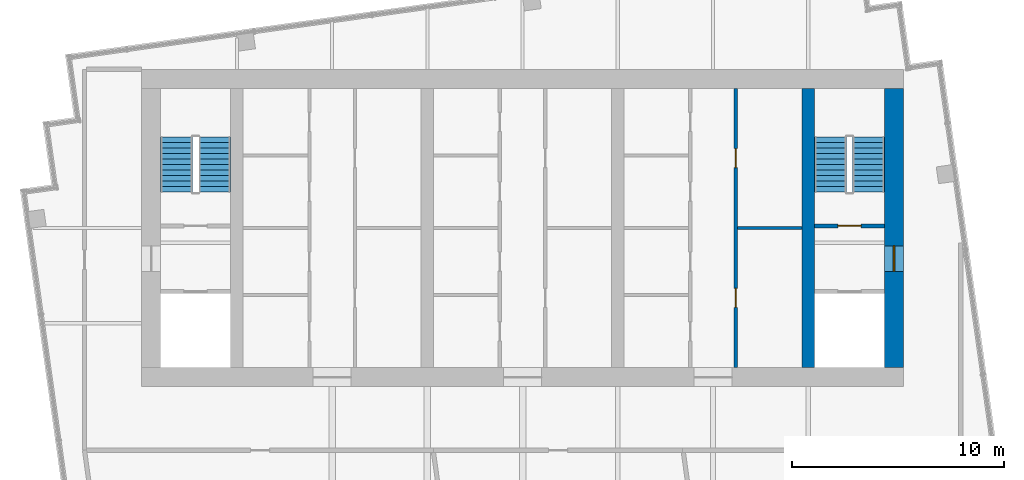
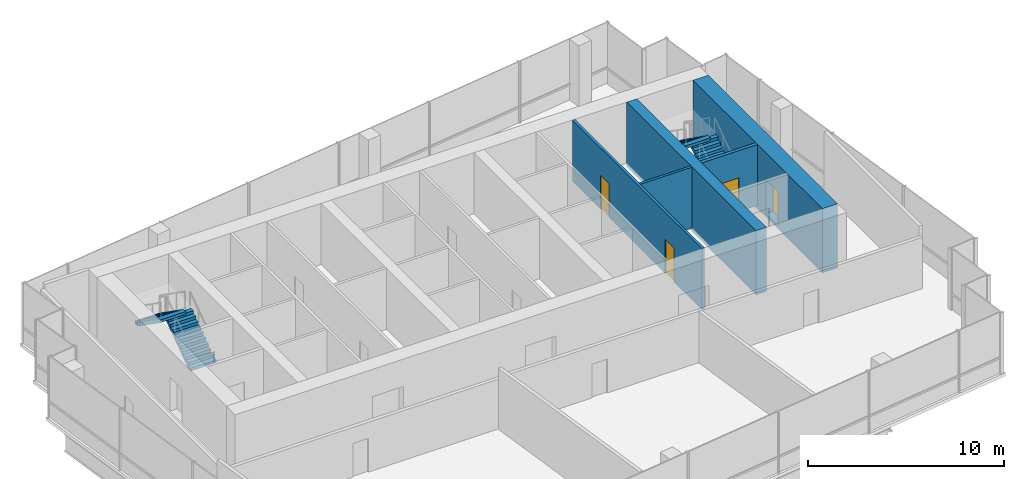
# One storey, part 9 of 10: 5 walls, 4 doors, 4 stair flights, 4 openings, 2 elements without a shape of their own.
"""IFC4 building model written with IfcOpenShell, lengths in metres."""

from ifc_helpers import new_model, si_unit, direction, frame, frame_2d, origin, place, context, subcontext, project, spatial, polyline, rectangle, outline, extrude, material, layer, layer_set, type_object, element, fill, aggregate, save


model = new_model("IFC4")

# Units and contexts
model_context = context("Model", 3, precision=1e-05, world=origin(), true_north=direction((0.0, 1.0)))
body_context = subcontext(model_context, "Body", "Model", "MODEL_VIEW")
ifc_project = project(units=[si_unit("LENGTHUNIT", "METRE"), si_unit("AREAUNIT", "SQUARE_METRE"), si_unit("VOLUMEUNIT", "CUBIC_METRE"), si_unit("PLANEANGLEUNIT", "RADIAN"), si_unit("MASSUNIT", "GRAM", prefix="KILO")], contexts=[model_context])

# Site, building, storey
site_placement = place(None, origin())
site = spatial("IfcSite", under=ifc_project, at=site_placement, CompositionType="ELEMENT")
building_placement = place(site_placement, origin())
building = spatial("IfcBuilding", under=site, at=building_placement, Name="Rattan Terrace Tower", CompositionType="ELEMENT")
storey_placement = place(building_placement, frame((0.0, 0.0, 308.300048828125)))
storey = spatial("IfcBuildingStorey", under=building, at=storey_placement, Name="C05", CompositionType="ELEMENT", Elevation=308.300048828125)

# Wall, openings, doors
ifc_material_1 = material(Name="Gypsum board partition")
ifc_layer_1 = layer(ifc_material_1, 0.14990234375)
ifc_layer_set_1 = layer_set([ifc_layer_1], Name="Core partition 150")
wall_type_1 = type_object("IfcWallType", Name="Core partition 150", PredefinedType="PARTITIONING", material=ifc_layer_set_1)
wall_1_placement = place(storey_placement, frame((10.074951171875, -6.60009765625, 0.0), z_axis=(0.0, 0.0, 1.0), x_axis=(0.0, 1.0, 0.0)))
wall_1 = element("IfcWall", 1, at=wall_1_placement, inside=storey, type_object=wall_type_1, Name="Core room wall", PredefinedType="PARTITIONING", context=body_context, shape_type="SweptSolid", body=[
    extrude(rectangle(XDim=13.2001953125, YDim=0.14990234375, at=frame_2d((6.60009765625, 0.0))), origin(), (0.0, 0.0, 1.0), 3.800048828125),
])
opening_1_placement = place(wall_1_placement, frame((2.85009765625, 0.0, 0.0)))
opening_1 = element("IfcOpeningElement", 2, at=opening_1_placement, cuts=wall_1, Name="Opening C05-D023", PredefinedType="OPENING", context=body_context, shape_type="SweptSolid", body=[
    extrude(rectangle(XDim=0.89990234375, YDim=2.10009765625, at=frame_2d((0.449951171875, 1.050048828125))), frame((0.0, 0.08544921875, 0.0), z_axis=(0.0, -1.0, 0.0), x_axis=(1.0, 0.0, 0.0)), (0.0, 0.0, 1.0), 0.1708984375),
])
opening_2_placement = place(wall_1_placement, frame((9.449951171875, 0.0, 0.0)))
opening_2 = element("IfcOpeningElement", 3, at=opening_2_placement, cuts=wall_1, Name="Opening C05-D024", PredefinedType="OPENING", context=body_context, shape_type="SweptSolid", body=[
    extrude(rectangle(XDim=0.89990234375, YDim=2.10009765625, at=frame_2d((0.449951171875, 1.050048828125))), frame((0.0, 0.08544921875, 0.0), z_axis=(0.0, -1.0, 0.0), x_axis=(1.0, 0.0, 0.0)), (0.0, 0.0, 1.0), 0.1708984375),
])
ifc_material_2 = material(Name="Hollow-metal fire door leaf")
door_type_1 = type_object("IfcDoorType", Name="Core service room door 900", OperationType="NOTDEFINED", PredefinedType="DOOR", material=ifc_material_2)
door_1_placement = place(opening_1_placement, origin())
door_1 = element("IfcDoor", 4, at=door_1_placement, inside=storey, type_object=door_type_1, Name="Door C05-D023", OperationType="SINGLE_SWING_RIGHT", OverallHeight=2.10009765625, OverallWidth=0.89990234375, PredefinedType="DOOR", context=body_context, shape_type="SweptSolid", body=[
    extrude(rectangle(XDim=0.89990234375, YDim=2.10009765625, at=frame_2d((0.449951171875, 1.050048828125))), frame((0.0, 0.02490234375, 0.0), z_axis=(0.0, -1.0, 0.0), x_axis=(1.0, 0.0, 0.0)), (0.0, 0.0, 1.0), 0.050048828125),
])
fill(opening_1, door_1)
door_2_placement = place(opening_2_placement, origin())
door_2 = element("IfcDoor", 5, at=door_2_placement, inside=storey, type_object=door_type_1, Name="Door C05-D024", OperationType="SINGLE_SWING_LEFT", OverallHeight=2.10009765625, OverallWidth=0.89990234375, PredefinedType="DOOR", context=body_context, shape_type="SweptSolid", body=[
    extrude(rectangle(XDim=0.89990234375, YDim=2.10009765625, at=frame_2d((0.449951171875, 1.050048828125))), frame((0.0, 0.02490234375, 0.0), z_axis=(0.0, -1.0, 0.0), x_axis=(1.0, 0.0, 0.0)), (0.0, 0.0, 1.0), 0.050048828125),
])
fill(opening_2, door_2)

# Wall
wall_2_placement = place(storey_placement, frame((10.14990234375, 0.0, 0.0), z_axis=(0.0, 0.0, 1.0), x_axis=(1.0, 0.0, 0.0)))
element("IfcWall", 6, at=wall_2_placement, inside=storey, type_object=wall_type_1, Name="Core room wall", PredefinedType="PARTITIONING", context=body_context, shape_type="SweptSolid", body=[
    extrude(rectangle(XDim=3.050048828125, YDim=0.14990234375, at=frame_2d((1.52490234375, 0.0))), origin(), (0.0, 0.0, 1.0), 3.800048828125),
])

# Wall, opening, door
ifc_material_3 = material(Name="Gypsum board partition")
ifc_layer_2 = layer(ifc_material_3, 0.199951171875)
ifc_layer_set_2 = layer_set([ifc_layer_2], Name="Core partition 200")
wall_type_2 = type_object("IfcWallType", Name="Core partition 200", PredefinedType="PARTITIONING", material=ifc_layer_set_2)
wall_3_placement = place(storey_placement, frame((13.800048828125, 0.10009765625, 0.0), z_axis=(0.0, 0.0, 1.0), x_axis=(1.0, 0.0, 0.0)))
wall_3 = element("IfcWall", 7, at=wall_3_placement, inside=storey, type_object=wall_type_2, Name="Stair enclosure wall", PredefinedType="PARTITIONING", context=body_context, shape_type="SweptSolid", body=[
    extrude(rectangle(XDim=3.300048828125, YDim=0.199951171875, at=frame_2d((1.64990234375, 0.0))), origin(), (0.0, 0.0, 1.0), 3.800048828125),
])
opening_3_placement = place(wall_3_placement, frame((1.10009765625, 0.0, 0.0)))
opening_3 = element("IfcOpeningElement", 8, at=opening_3_placement, cuts=wall_3, Name="Opening C05-D004", PredefinedType="OPENING", context=body_context, shape_type="SweptSolid", body=[
    extrude(rectangle(XDim=1.10009765625, YDim=2.10009765625, at=frame_2d((0.550048828125, 1.050048828125))), frame((0.0, 0.110595703125, 0.0), z_axis=(0.0, -1.0, 0.0), x_axis=(1.0, 0.0, 0.0)), (0.0, 0.0, 1.0), 0.220947265625),
])
ifc_material_4 = material(Name="Hollow-metal fire door leaf")
door_type_2 = type_object("IfcDoorType", Name="Core stair door 1100", OperationType="NOTDEFINED", PredefinedType="DOOR", material=ifc_material_4)
door_3_placement = place(opening_3_placement, origin())
door_3 = element("IfcDoor", 9, at=door_3_placement, inside=storey, type_object=door_type_2, Name="Door C05-D004", OperationType="SINGLE_SWING_LEFT", OverallHeight=2.10009765625, OverallWidth=1.10009765625, PredefinedType="DOOR", context=body_context, shape_type="SweptSolid", body=[
    extrude(rectangle(XDim=1.10009765625, YDim=2.10009765625, at=frame_2d((0.550048828125, 1.050048828125))), frame((0.0, 0.02490234375, 0.0), z_axis=(0.0, -1.0, 0.0), x_axis=(1.0, 0.0, 0.0)), (0.0, 0.0, 1.0), 0.050048828125),
])
fill(opening_3, door_3)

ifc_material_5 = material(Name="Concrete C50/60", Category="concrete")
ifc_layer_3 = layer(ifc_material_5, 0.89990234375)
ifc_layer_set_3 = layer_set([ifc_layer_3], Name="Core ring wall 900 C50/60")
wall_type_3 = type_object("IfcWallType", Name="Core ring wall 900 C50/60", PredefinedType="SHEAR", material=ifc_layer_set_3)
wall_4_placement = place(storey_placement, frame((17.550048828125, -6.60009765625, -0.199951171875), z_axis=(0.0, 0.0, 1.0), x_axis=(0.0, 1.0, 0.0)))
wall_4 = element("IfcWall", 10, at=wall_4_placement, inside=storey, type_object=wall_type_3, Name="Rear core wall east", PredefinedType="SHEAR", context=body_context, shape_type="SweptSolid", body=[
    extrude(rectangle(XDim=13.2001953125, YDim=0.89990234375, at=frame_2d((6.60009765625, 0.0))), origin(), (0.0, 0.0, 1.0), 4.0),
])
opening_4_placement = place(wall_4_placement, frame((4.550048828125, 0.0, 0.199951171875)))
opening_4 = element("IfcOpeningElement", 11, at=opening_4_placement, cuts=wall_4, Name="Opening C05-D003", PredefinedType="OPENING", context=body_context, shape_type="SweptSolid", body=[
    extrude(rectangle(XDim=1.199951171875, YDim=2.10009765625, at=frame_2d((0.60009765625, 1.050048828125))), frame((0.0, 0.46044921875, 0.0), z_axis=(0.0, -1.0, 0.0), x_axis=(1.0, 0.0, 0.0)), (0.0, 0.0, 1.0), 0.9208984375),
])
ifc_material_6 = material(Name="Hollow-metal fire door leaf")
door_type_3 = type_object("IfcDoorType", Name="Core fire-fighting lobby door 1200", OperationType="NOTDEFINED", PredefinedType="DOOR", material=ifc_material_6)
door_4_placement = place(opening_4_placement, origin())
door_4 = element("IfcDoor", 12, at=door_4_placement, inside=storey, type_object=door_type_3, Name="Door C05-D003", OperationType="SINGLE_SWING_RIGHT", OverallHeight=2.10009765625, OverallWidth=1.199951171875, PredefinedType="DOOR", context=body_context, shape_type="SweptSolid", body=[
    extrude(rectangle(XDim=1.199951171875, YDim=2.10009765625, at=frame_2d((0.60009765625, 1.050048828125))), frame((0.0, 0.02490234375, 0.0), z_axis=(0.0, -1.0, 0.0), x_axis=(1.0, 0.0, 0.0)), (0.0, 0.0, 1.0), 0.050048828125),
])
fill(opening_4, door_4)

# Wall
ifc_material_7 = material(Name="Concrete C50/60", Category="concrete")
ifc_layer_4 = layer(ifc_material_7, 0.60009765625)
ifc_layer_set_4 = layer_set([ifc_layer_4], Name="Core spine wall 600 C50/60")
wall_type_4 = type_object("IfcWallType", Name="Core spine wall 600 C50/60", PredefinedType="SHEAR", material=ifc_layer_set_4)
wall_5_placement = place(storey_placement, frame((13.5, -6.60009765625, -0.199951171875), z_axis=(0.0, 0.0, 1.0), x_axis=(0.0, 1.0, 0.0)))
element("IfcWall", 13, at=wall_5_placement, inside=storey, type_object=wall_type_4, Name="Core spine wall 4", PredefinedType="SHEAR", context=body_context, shape_type="SweptSolid", body=[
    extrude(rectangle(XDim=13.2001953125, YDim=0.60009765625, at=frame_2d((6.60009765625, 0.0))), origin(), (0.0, 0.0, 1.0), 4.0),
])

# Stair, stair flights
ifc_material_8 = material(Name="Concrete C40/50", Category="concrete")
stair_type = type_object("IfcStairType", Name="Core exit stair 1500", PredefinedType="HALF_TURN_STAIR", material=ifc_material_8)
stair_1_placement = place(storey_placement, origin())
stair_1 = element("IfcStair", 14, at=stair_1_placement, inside=storey, type_object=stair_type, Name="C05 exit stair 1", PredefinedType="HALF_TURN_STAIR")
ifc_material_9 = material(Name="Concrete C40/50", Category="concrete")
stair_flight_type = type_object("IfcStairFlightType", Name="Core exit stair flight 1500", PredefinedType="STRAIGHT", material=ifc_material_9)
stair_flight_1_placement = place(storey_placement, frame((-14.550048828125, 1.699951171875, 0.0), z_axis=(0.0, 0.0, 1.0), x_axis=(0.0, 1.0, 0.0)))
stair_flight_1 = element("IfcStairFlight", 15, at=stair_flight_1_placement, type_object=stair_flight_type, Name="S1 flight 1", NumberOfRisers=11, NumberOfTreads=10, PredefinedType="STRAIGHT", RiserHeight=0.181818182, TreadLength=0.26, context=body_context, shape_type="SweptSolid", body=[
    extrude(outline(polyline([(0.0, 0.0), (0.0, 0.181884765625), (0.260009765625, 0.181884765625), (0.260009765625, 0.363525390625), (0.52001953125, 0.363525390625), (0.52001953125, 0.54541015625), (0.780029296875, 0.54541015625), (0.780029296875, 0.727294921875), (1.0400390625, 0.727294921875), (1.0400390625, 0.9091796875), (1.300048828125, 0.9091796875), (1.300048828125, 1.0908203125), (1.56005859375, 1.0908203125), (1.56005859375, 1.272705078125), (1.820068359375, 1.272705078125), (1.820068359375, 1.45458984375), (2.080078125, 1.45458984375), (2.080078125, 1.636474609375), (2.340087890625, 1.636474609375), (2.340087890625, 1.818115234375), (2.60009765625, 1.818115234375), (2.60009765625, 2.0), (2.60009765625, 1.63525390625), (0.261474609375, 0.0), (0.0, 0.0)])), frame((0.0, 0.75, 0.0), z_axis=(0.0, -1.0, 0.0), x_axis=(1.0, 0.0, 0.0)), (0.0, 0.0, 1.0), 1.5),
])
stair_flight_2_placement = place(storey_placement, frame((-16.35009765625, 4.300048828125, 2.0), z_axis=(0.0, 0.0, 1.0), x_axis=(0.0, -1.0, 0.0)))
stair_flight_2 = element("IfcStairFlight", 16, at=stair_flight_2_placement, type_object=stair_flight_type, Name="S1 flight 2", NumberOfRisers=11, NumberOfTreads=10, PredefinedType="STRAIGHT", RiserHeight=0.181818182, TreadLength=0.26, context=body_context, shape_type="SweptSolid", body=[
    extrude(outline(polyline([(0.0, 0.0), (0.0, 0.181884765625), (0.260009765625, 0.181884765625), (0.260009765625, 0.363525390625), (0.52001953125, 0.363525390625), (0.52001953125, 0.54541015625), (0.780029296875, 0.54541015625), (0.780029296875, 0.727294921875), (1.0400390625, 0.727294921875), (1.0400390625, 0.9091796875), (1.300048828125, 0.9091796875), (1.300048828125, 1.0908203125), (1.56005859375, 1.0908203125), (1.56005859375, 1.272705078125), (1.820068359375, 1.272705078125), (1.820068359375, 1.45458984375), (2.080078125, 1.45458984375), (2.080078125, 1.636474609375), (2.340087890625, 1.636474609375), (2.340087890625, 1.818115234375), (2.60009765625, 1.818115234375), (2.60009765625, 2.0), (2.60009765625, 1.63525390625), (0.261474609375, 0.0), (0.0, 0.0)])), frame((0.0, 0.75, 0.0), z_axis=(0.0, -1.0, 0.0), x_axis=(1.0, 0.0, 0.0)), (0.0, 0.0, 1.0), 1.5),
])
aggregate(stair_1, [stair_flight_1, stair_flight_2])

stair_2_placement = place(storey_placement, origin())
stair_2 = element("IfcStair", 17, at=stair_2_placement, inside=storey, type_object=stair_type, Name="C05 exit stair 2", PredefinedType="HALF_TURN_STAIR")
stair_flight_3_placement = place(storey_placement, frame((16.35009765625, 1.699951171875, 0.0), z_axis=(0.0, 0.0, 1.0), x_axis=(0.0, 1.0, 0.0)))
stair_flight_3 = element("IfcStairFlight", 18, at=stair_flight_3_placement, type_object=stair_flight_type, Name="S2 flight 1", NumberOfRisers=11, NumberOfTreads=10, PredefinedType="STRAIGHT", RiserHeight=0.181818182, TreadLength=0.26, context=body_context, shape_type="SweptSolid", body=[
    extrude(outline(polyline([(0.0, 0.0), (0.0, 0.181884765625), (0.260009765625, 0.181884765625), (0.260009765625, 0.363525390625), (0.52001953125, 0.363525390625), (0.52001953125, 0.54541015625), (0.780029296875, 0.54541015625), (0.780029296875, 0.727294921875), (1.0400390625, 0.727294921875), (1.0400390625, 0.9091796875), (1.300048828125, 0.9091796875), (1.300048828125, 1.0908203125), (1.56005859375, 1.0908203125), (1.56005859375, 1.272705078125), (1.820068359375, 1.272705078125), (1.820068359375, 1.45458984375), (2.080078125, 1.45458984375), (2.080078125, 1.636474609375), (2.340087890625, 1.636474609375), (2.340087890625, 1.818115234375), (2.60009765625, 1.818115234375), (2.60009765625, 2.0), (2.60009765625, 1.63525390625), (0.261474609375, 0.0), (0.0, 0.0)])), frame((0.0, 0.75, 0.0), z_axis=(0.0, -1.0, 0.0), x_axis=(1.0, 0.0, 0.0)), (0.0, 0.0, 1.0), 1.5),
])
stair_flight_4_placement = place(storey_placement, frame((14.550048828125, 4.300048828125, 2.0), z_axis=(0.0, 0.0, 1.0), x_axis=(0.0, -1.0, 0.0)))
stair_flight_4 = element("IfcStairFlight", 19, at=stair_flight_4_placement, type_object=stair_flight_type, Name="S2 flight 2", NumberOfRisers=11, NumberOfTreads=10, PredefinedType="STRAIGHT", RiserHeight=0.181818182, TreadLength=0.26, context=body_context, shape_type="SweptSolid", body=[
    extrude(outline(polyline([(0.0, 0.0), (0.0, 0.181884765625), (0.260009765625, 0.181884765625), (0.260009765625, 0.363525390625), (0.52001953125, 0.363525390625), (0.52001953125, 0.54541015625), (0.780029296875, 0.54541015625), (0.780029296875, 0.727294921875), (1.0400390625, 0.727294921875), (1.0400390625, 0.9091796875), (1.300048828125, 0.9091796875), (1.300048828125, 1.0908203125), (1.56005859375, 1.0908203125), (1.56005859375, 1.272705078125), (1.820068359375, 1.272705078125), (1.820068359375, 1.45458984375), (2.080078125, 1.45458984375), (2.080078125, 1.636474609375), (2.340087890625, 1.636474609375), (2.340087890625, 1.818115234375), (2.60009765625, 1.818115234375), (2.60009765625, 2.0), (2.60009765625, 1.63525390625), (0.261474609375, 0.0), (0.0, 0.0)])), frame((0.0, 0.75, 0.0), z_axis=(0.0, -1.0, 0.0), x_axis=(1.0, 0.0, 0.0)), (0.0, 0.0, 1.0), 1.5),
])
aggregate(stair_2, [stair_flight_3, stair_flight_4])

save(model, "model.ifc")
